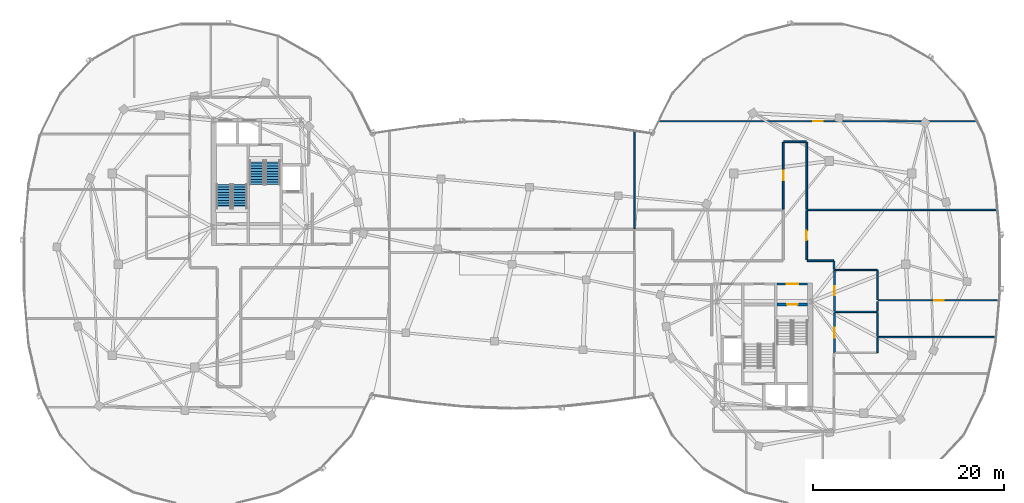
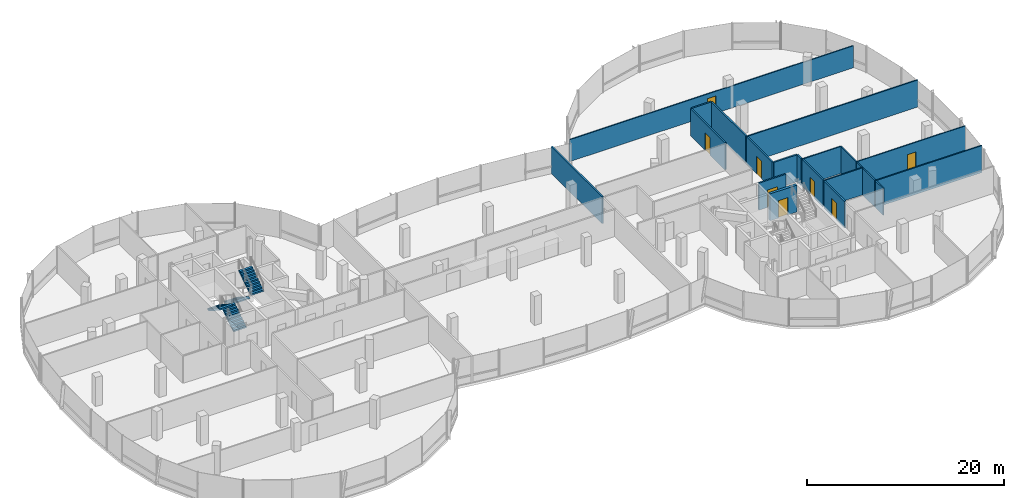
# One storey, part 17 of 26: 21 walls, 8 doors, 4 stair flights, 8 openings, 2 elements without a shape of their own.
"""IFC4 building model written with IfcOpenShell, lengths in metres."""

from ifc_helpers import new_model, si_unit, direction, frame, frame_2d, origin, place, context, subcontext, project, spatial, polyline, rectangle, outline, extrude, material, layer, layer_set, type_object, element, fill, aggregate, save


model = new_model("IFC4")

# Units and contexts
model_context = context("Model", 3, precision=1e-05, world=origin(), true_north=direction((0.0, 1.0)))
body_context = subcontext(model_context, "Body", "Model", "MODEL_VIEW")
ifc_project = project(units=[si_unit("LENGTHUNIT", "METRE"), si_unit("AREAUNIT", "SQUARE_METRE"), si_unit("VOLUMEUNIT", "CUBIC_METRE"), si_unit("PLANEANGLEUNIT", "RADIAN"), si_unit("MASSUNIT", "GRAM", prefix="KILO"), si_unit("THERMODYNAMICTEMPERATUREUNIT", "KELVIN"), si_unit("POWERUNIT", "WATT")], contexts=[model_context])

# Site, building, storey
site_placement = place(None, origin())
site = spatial("IfcSite", under=ifc_project, at=site_placement, CompositionType="ELEMENT")
building_placement = place(site_placement, origin())
building = spatial("IfcBuilding", under=site, at=building_placement, Name="Cundina Bronze Exchange", CompositionType="ELEMENT")
storey_placement = place(building_placement, frame((0.0, 0.0, 264.800048828125)))
storey = spatial("IfcBuildingStorey", under=building, at=storey_placement, Name="L70", CompositionType="ELEMENT", Elevation=264.800048828125)

# Wall, opening, door
ifc_material_1 = material(Name="Gypsum Fireboard Partition EI120")
ifc_layer_1 = layer(ifc_material_1, 0.179931640625, Name="Gypsum Fireboard Partition EI120")
ifc_layer_set_1 = layer_set([ifc_layer_1], Name="Gypsum Fireboard Partition EI120")
wall_type_1 = type_object("IfcWallType", Name="WL-COR-180", PredefinedType="PARTITIONING", material=ifc_layer_set_1)
wall_1_placement = place(storey_placement, frame((27.739990234375, -2.06005859375, 0.0), z_axis=(0.0, 0.0, 1.0), x_axis=(1.0, 0.0, 0.0)))
wall_1 = element("IfcWall", 1, at=wall_1_placement, inside=storey, type_object=wall_type_1, Name="L70 E Stair Vestibule Exit Wall", PredefinedType="PARTITIONING", context=body_context, shape_type="SweptSolid", body=[
    extrude(rectangle(XDim=3.159912109375, YDim=0.179931640625, at=frame_2d((1.580078125, 0.0))), origin(), (0.0, 0.0, 1.0), 3.33984375),
])
opening_1_placement = place(wall_1_placement, frame((0.97998046875, 0.0, 0.0)))
opening_1 = element("IfcOpeningElement", 2, at=opening_1_placement, cuts=wall_1, Name="Opening DF-01", PredefinedType="OPENING", context=body_context, shape_type="SweptSolid", body=[
    extrude(rectangle(XDim=1.199951171875, YDim=2.14990234375, at=frame_2d((0.60009765625, 1.074951171875))), frame((0.0, 0.099853515625, 0.0), z_axis=(0.0, -1.0, 0.0), x_axis=(1.0, 0.0, 0.0)), (0.0, 0.0, 1.0), 0.199951171875),
])
ifc_material_2 = material(Name="Steel ASTM A36 Painted", Category="steel")
door_type_1 = type_object("IfcDoorType", Name="DR-FFL-1200", OperationType="NOTDEFINED", PredefinedType="DOOR", material=ifc_material_2)
door_1_placement = place(opening_1_placement, origin())
door_1 = element("IfcDoor", 3, at=door_1_placement, inside=storey, type_object=door_type_1, Name="L70 E Stair Vestibule Door", OperationType="SINGLE_SWING_RIGHT", OverallHeight=2.14990234375, OverallWidth=1.199951171875, PredefinedType="DOOR", context=body_context, shape_type="SweptSolid", body=[
    extrude(rectangle(XDim=1.199951171875, YDim=2.14990234375, at=frame_2d((0.60009765625, 1.074951171875))), frame((0.0, 0.02490234375, 0.0), z_axis=(0.0, -1.0, 0.0), x_axis=(1.0, 0.0, 0.0)), (0.0, 0.0, 1.0), 0.050048828125),
])
fill(opening_1, door_1)

wall_2_placement = place(storey_placement, frame((33.719970703125, -4.8798828125, 0.0), z_axis=(0.0, 0.0, 1.0), x_axis=(0.0, 1.0, 0.0)))
wall_2 = element("IfcWall", 4, at=wall_2_placement, inside=storey, type_object=wall_type_1, Name="L70 Interior Partition 047", PredefinedType="PARTITIONING", context=body_context, shape_type="SweptSolid", body=[
    extrude(rectangle(XDim=4.259765625, YDim=0.179931640625, at=frame_2d((2.1298828125, 0.0))), origin(), (0.0, 0.0, 1.0), 3.33984375),
])
opening_2_placement = place(wall_2_placement, frame((1.655029296875, 0.0, 0.0)))
opening_2 = element("IfcOpeningElement", 5, at=opening_2_placement, cuts=wall_2, Name="Opening DW-01", PredefinedType="OPENING", context=body_context, shape_type="SweptSolid", body=[
    extrude(rectangle(XDim=0.949951171875, YDim=2.10009765625, at=frame_2d((0.47509765625, 1.050048828125))), frame((0.0, 0.099853515625, 0.0), z_axis=(0.0, -1.0, 0.0), x_axis=(1.0, 0.0, 0.0)), (0.0, 0.0, 1.0), 0.199951171875),
])
ifc_material_3 = material(Name="Solid Andean Oak Timber Grade A", Category="wood")
door_type_2 = type_object("IfcDoorType", Name="DR-WC-950", OperationType="NOTDEFINED", PredefinedType="DOOR", material=ifc_material_3)
door_2_placement = place(opening_2_placement, origin())
door_2 = element("IfcDoor", 6, at=door_2_placement, inside=storey, type_object=door_type_2, Name="L70 Interior Door 047", OperationType="SINGLE_SWING_RIGHT", OverallHeight=2.10009765625, OverallWidth=0.949951171875, PredefinedType="DOOR", context=body_context, shape_type="SweptSolid", body=[
    extrude(rectangle(XDim=0.949951171875, YDim=2.10009765625, at=frame_2d((0.47509765625, 1.050048828125))), frame((0.0, 0.02490234375, 0.0), z_axis=(0.0, -1.0, 0.0), x_axis=(1.0, 0.0, 0.0)), (0.0, 0.0, 1.0), 0.050048828125),
])
fill(opening_2, door_2)

wall_3_placement = place(storey_placement, frame((33.719970703125, -9.239990234375, 0.0), z_axis=(0.0, 0.0, 1.0), x_axis=(0.0, 1.0, 0.0)))
wall_3 = element("IfcWall", 7, at=wall_3_placement, inside=storey, type_object=wall_type_1, Name="L70 Interior Partition 048", PredefinedType="PARTITIONING", context=body_context, shape_type="SweptSolid", body=[
    extrude(rectangle(XDim=4.159912109375, YDim=0.179931640625, at=frame_2d((2.080078125, 0.0))), origin(), (0.0, 0.0, 1.0), 3.33984375),
])
opening_3_placement = place(wall_3_placement, frame((1.580078125, 0.0, 0.0)))
opening_3 = element("IfcOpeningElement", 8, at=opening_3_placement, cuts=wall_3, Name="Opening DO-01", PredefinedType="OPENING", context=body_context, shape_type="SweptSolid", body=[
    extrude(rectangle(XDim=1.0, YDim=2.14990234375, at=frame_2d((0.5, 1.074951171875))), frame((0.0, 0.099853515625, 0.0), z_axis=(0.0, -1.0, 0.0), x_axis=(1.0, 0.0, 0.0)), (0.0, 0.0, 1.0), 0.199951171875),
])
door_type_3 = type_object("IfcDoorType", Name="DR-OFF-1000", OperationType="NOTDEFINED", PredefinedType="DOOR", material=ifc_material_3)
door_3_placement = place(opening_3_placement, origin())
door_3 = element("IfcDoor", 9, at=door_3_placement, inside=storey, type_object=door_type_3, Name="L70 Interior Door 048", OperationType="SINGLE_SWING_LEFT", OverallHeight=2.14990234375, OverallWidth=1.0, PredefinedType="DOOR", context=body_context, shape_type="SweptSolid", body=[
    extrude(rectangle(XDim=1.0, YDim=2.14990234375, at=frame_2d((0.5, 1.074951171875))), frame((0.0, 0.02490234375, 0.0), z_axis=(0.0, -1.0, 0.0), x_axis=(1.0, 0.0, 0.0)), (0.0, 0.0, 1.0), 0.050048828125),
])
fill(opening_3, door_3)

wall_4_placement = place(storey_placement, frame((30.820068359375, 0.449951171875, 0.0), z_axis=(0.0, 0.0, 1.0), x_axis=(0.0, 1.0, 0.0)))
wall_4 = element("IfcWall", 10, at=wall_4_placement, inside=storey, type_object=wall_type_1, Name="L70 Interior Partition 063", PredefinedType="PARTITIONING", context=body_context, shape_type="SweptSolid", body=[
    extrude(rectangle(XDim=5.150146484375, YDim=0.179931640625, at=frame_2d((2.5751953125, 0.0))), origin(), (0.0, 0.0, 1.0), 3.33984375),
])
opening_4_placement = place(wall_4_placement, frame((2.074951171875, 0.0, 0.0)))
opening_4 = element("IfcOpeningElement", 11, at=opening_4_placement, cuts=wall_4, Name="Opening DO-01", PredefinedType="OPENING", context=body_context, shape_type="SweptSolid", body=[
    extrude(rectangle(XDim=1.0, YDim=2.14990234375, at=frame_2d((0.5, 1.074951171875))), frame((0.0, 0.099853515625, 0.0), z_axis=(0.0, -1.0, 0.0), x_axis=(1.0, 0.0, 0.0)), (0.0, 0.0, 1.0), 0.199951171875),
])
door_4_placement = place(opening_4_placement, origin())
door_4 = element("IfcDoor", 12, at=door_4_placement, inside=storey, type_object=door_type_3, Name="L70 Interior Door 063", OperationType="SINGLE_SWING_RIGHT", OverallHeight=2.14990234375, OverallWidth=1.0, PredefinedType="DOOR", context=body_context, shape_type="SweptSolid", body=[
    extrude(rectangle(XDim=1.0, YDim=2.14990234375, at=frame_2d((0.5, 1.074951171875))), frame((0.0, 0.02490234375, 0.0), z_axis=(0.0, -1.0, 0.0), x_axis=(1.0, 0.0, 0.0)), (0.0, 0.0, 1.0), 0.050048828125),
])
fill(opening_4, door_4)

# Walls
wall_5_placement = place(storey_placement, frame((33.62841796875, 0.3701171875, 0.0), z_axis=(0.0, 0.0, 1.0), x_axis=(-1.0, 0.0, 0.0)))
element("IfcWall", 13, at=wall_5_placement, inside=storey, type_object=wall_type_1, Name="L70 Interior Partition 064", PredefinedType="PARTITIONING", context=body_context, shape_type="SweptSolid", body=[
    extrude(rectangle(XDim=2.728515625, YDim=0.179931640625, at=frame_2d((1.3642578125, 0.0))), origin(), (0.0, 0.0, 1.0), 3.33984375),
])
wall_6_placement = place(storey_placement, frame((33.669921875, -0.508544921875, 0.0), z_axis=(0.0, 0.0, 1.0), x_axis=(0.0, 1.0, 0.0)))
element("IfcWall", 14, at=wall_6_placement, inside=storey, type_object=wall_type_1, Name="L70 Interior Partition 065", PredefinedType="PARTITIONING", context=body_context, shape_type="SweptSolid", body=[
    extrude(rectangle(XDim=0.837158203125, YDim=0.179931640625, at=frame_2d((0.41845703125, 0.0))), origin(), (0.0, 0.0, 1.0), 3.33984375),
])

# Wall, opening, door
wall_7_placement = place(storey_placement, frame((28.3798828125, 12.778564453125, 0.0), z_axis=(0.0, 0.0, 1.0), x_axis=(0.0, -1.0, 0.0)))
wall_7 = element("IfcWall", 15, at=wall_7_placement, inside=storey, type_object=wall_type_1, Name="L70 Interior Partition 070", PredefinedType="PARTITIONING", context=body_context, shape_type="SweptSolid", body=[
    extrude(rectangle(XDim=6.99853515625, YDim=0.179931640625, at=frame_2d((3.499267578125, 0.0))), origin(), (0.0, 0.0, 1.0), 3.33984375),
])
opening_5_placement = place(wall_7_placement, frame((2.999267578125, 0.0, 0.0)))
opening_5 = element("IfcOpeningElement", 16, at=opening_5_placement, cuts=wall_7, Name="Opening DO-01", PredefinedType="OPENING", context=body_context, shape_type="SweptSolid", body=[
    extrude(rectangle(XDim=1.0, YDim=2.14990234375, at=frame_2d((0.5, 1.074951171875))), frame((0.0, 0.099853515625, 0.0), z_axis=(0.0, -1.0, 0.0), x_axis=(1.0, 0.0, 0.0)), (0.0, 0.0, 1.0), 0.199951171875),
])
door_5_placement = place(opening_5_placement, origin())
door_5 = element("IfcDoor", 17, at=door_5_placement, inside=storey, type_object=door_type_3, Name="L70 Interior Door 070", OperationType="SINGLE_SWING_RIGHT", OverallHeight=2.14990234375, OverallWidth=1.0, PredefinedType="DOOR", context=body_context, shape_type="SweptSolid", body=[
    extrude(rectangle(XDim=1.0, YDim=2.14990234375, at=frame_2d((0.5, 1.074951171875))), frame((0.0, 0.02490234375, 0.0), z_axis=(0.0, -1.0, 0.0), x_axis=(1.0, 0.0, 0.0)), (0.0, 0.0, 1.0), 0.050048828125),
])
fill(opening_5, door_5)

# Walls
wall_8_placement = place(storey_placement, frame((30.820068359375, 5.780029296875, 0.0), z_axis=(0.0, 0.0, 1.0), x_axis=(0.0, 1.0, 0.0)))
element("IfcWall", 18, at=wall_8_placement, inside=storey, type_object=wall_type_1, Name="L70 Interior Partition 071", PredefinedType="PARTITIONING", context=body_context, shape_type="SweptSolid", body=[
    extrude(rectangle(XDim=6.99853515625, YDim=0.179931640625, at=frame_2d((3.499267578125, 0.0))), origin(), (0.0, 0.0, 1.0), 3.33984375),
])
wall_9_placement = place(storey_placement, frame((30.778564453125, 12.820068359375, 0.0), z_axis=(0.0, 0.0, 1.0), x_axis=(-1.0, 0.0, 0.0)))
element("IfcWall", 19, at=wall_9_placement, inside=storey, type_object=wall_type_1, Name="L70 Interior Partition 072", PredefinedType="PARTITIONING", context=body_context, shape_type="SweptSolid", body=[
    extrude(rectangle(XDim=2.357177734375, YDim=0.179931640625, at=frame_2d((1.1787109375, 0.0))), origin(), (0.0, 0.0, 1.0), 3.33984375),
])
wall_10_placement = place(storey_placement, frame((12.800048828125, 3.739990234375, 0.0), z_axis=(0.0, 0.0, 1.0), x_axis=(0.0, 1.0, 0.0)))
element("IfcWall", 20, at=wall_10_placement, inside=storey, type_object=wall_type_1, Name="L70 Interior Partition 084", PredefinedType="PARTITIONING", context=body_context, shape_type="SweptSolid", body=[
    extrude(rectangle(XDim=10.3037109375, YDim=0.179931640625, at=frame_2d((5.15185546875, 0.0))), origin(), (0.0, 0.0, 1.0), 3.33984375),
])

# Wall, opening, door
ifc_material_4 = material(Name="Gypsum Acoustic Partition EI60")
ifc_layer_2 = layer(ifc_material_4, 0.125, Name="Gypsum Acoustic Partition EI60")
ifc_layer_set_2 = layer_set([ifc_layer_2], Name="Gypsum Acoustic Partition EI60")
wall_type_2 = type_object("IfcWallType", Name="WL-OFF-125", PredefinedType="PARTITIONING", material=ifc_layer_set_2)
wall_11_placement = place(storey_placement, frame((38.320068359375, -3.77001953125, 0.0), z_axis=(0.0, 0.0, 1.0), x_axis=(1.0, 0.0, 0.0)))
wall_11 = element("IfcWall", 21, at=wall_11_placement, inside=storey, type_object=wall_type_2, Name="L70 Interior Partition 073", PredefinedType="PARTITIONING", context=body_context, shape_type="SweptSolid", body=[
    extrude(rectangle(XDim=12.640625, YDim=0.125, at=frame_2d((6.3203125, 0.0))), origin(), (0.0, 0.0, 1.0), 3.33984375),
])
opening_6_placement = place(wall_11_placement, frame((5.8203125, 0.0, 0.0)))
opening_6 = element("IfcOpeningElement", 22, at=opening_6_placement, cuts=wall_11, Name="Opening DO-01", PredefinedType="OPENING", context=body_context, shape_type="SweptSolid", body=[
    extrude(rectangle(XDim=1.0, YDim=2.14990234375, at=frame_2d((0.5, 1.074951171875))), frame((0.0, 0.072509765625, 0.0), z_axis=(0.0, -1.0, 0.0), x_axis=(1.0, 0.0, 0.0)), (0.0, 0.0, 1.0), 0.14501953125),
])
door_6_placement = place(opening_6_placement, origin())
door_6 = element("IfcDoor", 23, at=door_6_placement, inside=storey, type_object=door_type_3, Name="L70 Interior Door 073", OperationType="SINGLE_SWING_LEFT", OverallHeight=2.14990234375, OverallWidth=1.0, PredefinedType="DOOR", context=body_context, shape_type="SweptSolid", body=[
    extrude(rectangle(XDim=1.0, YDim=2.14990234375, at=frame_2d((0.5, 1.074951171875))), frame((0.0, 0.02490234375, 0.0), z_axis=(0.0, -1.0, 0.0), x_axis=(1.0, 0.0, 0.0)), (0.0, 0.0, 1.0), 0.050048828125),
])
fill(opening_6, door_6)

wall_12_placement = place(storey_placement, frame((48.631591796875, 14.9599609375, 0.0), z_axis=(0.0, 0.0, 1.0), x_axis=(-1.0, 0.0, 0.0)))
wall_12 = element("IfcWall", 24, at=wall_12_placement, inside=storey, type_object=wall_type_2, Name="L70 Interior Partition 074", PredefinedType="PARTITIONING", context=body_context, shape_type="SweptSolid", body=[
    extrude(rectangle(XDim=33.26318359375, YDim=0.125, at=frame_2d((16.631591796875, 0.0))), origin(), (0.0, 0.0, 1.0), 2.723876953125),
])
opening_7_placement = place(wall_12_placement, frame((16.131591796875, 0.0, 0.0)))
opening_7 = element("IfcOpeningElement", 25, at=opening_7_placement, cuts=wall_12, Name="Opening DO-01", PredefinedType="OPENING", context=body_context, shape_type="SweptSolid", body=[
    extrude(rectangle(XDim=1.0, YDim=2.14990234375, at=frame_2d((0.5, 1.074951171875))), frame((0.0, 0.072509765625, 0.0), z_axis=(0.0, -1.0, 0.0), x_axis=(1.0, 0.0, 0.0)), (0.0, 0.0, 1.0), 0.14501953125),
])
door_7_placement = place(opening_7_placement, origin())
door_7 = element("IfcDoor", 26, at=door_7_placement, inside=storey, type_object=door_type_3, Name="L70 Interior Door 074", OperationType="SINGLE_SWING_LEFT", OverallHeight=2.14990234375, OverallWidth=1.0, PredefinedType="DOOR", context=body_context, shape_type="SweptSolid", body=[
    extrude(rectangle(XDim=1.0, YDim=2.14990234375, at=frame_2d((0.5, 1.074951171875))), frame((0.0, 0.02490234375, 0.0), z_axis=(0.0, -1.0, 0.0), x_axis=(1.0, 0.0, 0.0)), (0.0, 0.0, 1.0), 0.050048828125),
])
fill(opening_7, door_7)

ifc_material_5 = material(Name="Concrete C50/60", Category="concrete")
ifc_layer_3 = layer(ifc_material_5, 0.300048828125, Name="Concrete C50/60", Category="concrete")
ifc_layer_set_3 = layer_set([ifc_layer_3], Name="Concrete C50/60")
wall_type_3 = type_object("IfcWallType", Name="WL-SHFT-300", PredefinedType="SHEAR", material=ifc_layer_set_3)
wall_13_placement = place(storey_placement, frame((27.739990234375, -4.199951171875, 0.0), z_axis=(0.0, 0.0, 1.0), x_axis=(1.0, 0.0, 0.0)))
wall_13 = element("IfcWall", 27, at=wall_13_placement, inside=storey, type_object=wall_type_3, Name="L70 Stair E1 Landing Wall", PredefinedType="SHEAR", context=body_context, shape_type="SweptSolid", body=[
    extrude(rectangle(XDim=3.159912109375, YDim=0.300048828125, at=frame_2d((1.580078125, 0.0))), origin(), (0.0, 0.0, 1.0), 3.33984375),
])
opening_8_placement = place(wall_13_placement, frame((1.030029296875, 0.0, 0.0)))
opening_8 = element("IfcOpeningElement", 28, at=opening_8_placement, cuts=wall_13, Name="Opening DS-01", PredefinedType="OPENING", context=body_context, shape_type="SweptSolid", body=[
    extrude(rectangle(XDim=1.10009765625, YDim=2.14990234375, at=frame_2d((0.550048828125, 1.074951171875))), frame((0.0, 0.159912109375, 0.0), z_axis=(0.0, -1.0, 0.0), x_axis=(1.0, 0.0, 0.0)), (0.0, 0.0, 1.0), 0.320068359375),
])
door_type_4 = type_object("IfcDoorType", Name="DR-STR-1100", OperationType="NOTDEFINED", PredefinedType="DOOR", material=ifc_material_2)
door_8_placement = place(opening_8_placement, origin())
door_8 = element("IfcDoor", 29, at=door_8_placement, inside=storey, type_object=door_type_4, Name="L70 Smokeproof Stair E1 Door", OperationType="SINGLE_SWING_LEFT", OverallHeight=2.14990234375, OverallWidth=1.10009765625, PredefinedType="DOOR", context=body_context, shape_type="SweptSolid", body=[
    extrude(rectangle(XDim=1.10009765625, YDim=2.14990234375, at=frame_2d((0.550048828125, 1.074951171875))), frame((0.0, 0.02490234375, 0.0), z_axis=(0.0, -1.0, 0.0), x_axis=(1.0, 0.0, 0.0)), (0.0, 0.0, 1.0), 0.050048828125),
])
fill(opening_8, door_8)

# Walls
ifc_layer_4 = layer(ifc_material_4, 0.14990234375, Name="Gypsum Acoustic Partition EI60")
ifc_layer_set_4 = layer_set([ifc_layer_4], Name="Gypsum Acoustic Partition EI60")
wall_type_4 = type_object("IfcWallType", Name="WL-TEN-150", PredefinedType="PARTITIONING", material=ifc_layer_set_4)
wall_14_placement = place(storey_placement, frame((30.85009765625, 5.68994140625, 0.0), z_axis=(0.0, 0.0, 1.0), x_axis=(1.0, 0.0, 0.0)))
element("IfcWall", 30, at=wall_14_placement, inside=storey, type_object=wall_type_4, Name="L70 Interior Partition 050", PredefinedType="PARTITIONING", context=body_context, shape_type="SweptSolid", body=[
    extrude(rectangle(XDim=20.009521484375, YDim=0.14990234375, at=frame_2d((10.0048828125, 0.0))), origin(), (0.0, 0.0, 1.0), 3.33984375),
])
wall_15_placement = place(storey_placement, frame((38.27001953125, -7.6201171875, 0.0), z_axis=(0.0, 0.0, 1.0), x_axis=(1.0, 0.0, 0.0)))
element("IfcWall", 31, at=wall_15_placement, inside=storey, type_object=wall_type_4, Name="L70 Interior Partition 051", PredefinedType="PARTITIONING", context=body_context, shape_type="SweptSolid", body=[
    extrude(rectangle(XDim=12.427490234375, YDim=0.14990234375, at=frame_2d((6.2138671875, 0.0))), origin(), (0.0, 0.0, 1.0), 3.33984375),
])
ifc_material_6 = material(Name="Moisture-Resistant Masonry Block Grade M15", Category="masonry")
ifc_layer_5 = layer(ifc_material_6, 0.139892578125, Name="Moisture-Resistant Masonry Block Grade M15", Category="masonry")
ifc_layer_set_5 = layer_set([ifc_layer_5], Name="Moisture-Resistant Masonry Block Grade M15")
wall_type_5 = type_object("IfcWallType", Name="WL-WET-140", PredefinedType="PARTITIONING", material=ifc_layer_set_5)
wall_16_placement = place(storey_placement, frame((38.239990234375, -9.239990234375, 0.0), z_axis=(0.0, 0.0, 1.0), x_axis=(0.0, 1.0, 0.0)))
element("IfcWall", 32, at=wall_16_placement, inside=storey, type_object=wall_type_5, Name="L70 Interior Partition 040", PredefinedType="PARTITIONING", context=body_context, shape_type="SweptSolid", body=[
    extrude(rectangle(XDim=1.534912109375, YDim=0.139892578125, at=frame_2d((0.767578125, 0.0))), origin(), (0.0, 0.0, 1.0), 3.33984375),
])
wall_17_placement = place(storey_placement, frame((38.239990234375, -7.534912109375, 0.0), z_axis=(0.0, 0.0, 1.0), x_axis=(0.0, 1.0, 0.0)))
element("IfcWall", 33, at=wall_17_placement, inside=storey, type_object=wall_type_5, Name="L70 Interior Partition 041", PredefinedType="PARTITIONING", context=body_context, shape_type="SweptSolid", body=[
    extrude(rectangle(XDim=2.469970703125, YDim=0.139892578125, at=frame_2d((1.23486328125, 0.0))), origin(), (0.0, 0.0, 1.0), 3.33984375),
])
wall_18_placement = place(storey_placement, frame((38.239990234375, -4.89501953125, 0.0), z_axis=(0.0, 0.0, 1.0), x_axis=(0.0, 1.0, 0.0)))
element("IfcWall", 34, at=wall_18_placement, inside=storey, type_object=wall_type_5, Name="L70 Interior Partition 042", PredefinedType="PARTITIONING", context=body_context, shape_type="SweptSolid", body=[
    extrude(rectangle(XDim=0.989990234375, YDim=0.139892578125, at=frame_2d((0.4951171875, 0.0))), origin(), (0.0, 0.0, 1.0), 3.33984375),
])
wall_19_placement = place(storey_placement, frame((38.239990234375, -3.735107421875, 0.0), z_axis=(0.0, 0.0, 1.0), x_axis=(0.0, 1.0, 0.0)))
element("IfcWall", 35, at=wall_19_placement, inside=storey, type_object=wall_type_5, Name="L70 Interior Partition 043", PredefinedType="PARTITIONING", context=body_context, shape_type="SweptSolid", body=[
    extrude(rectangle(XDim=3.114990234375, YDim=0.139892578125, at=frame_2d((1.5576171875, 0.0))), origin(), (0.0, 0.0, 1.0), 3.33984375),
])
for number, where, z_axis, x_axis, name in (
    (36, (33.739990234375, -0.60009765625, 0.0), (0.0, 0.0, 1.0), (1.0, 0.0, 0.0), "L70 Interior Partition 044"),
    (37, (33.739990234375, -4.97998046875, 0.0), (0.0, 0.0, 1.0), (1.0, 0.0, 0.0), "L70 Interior Partition 045"),
):
    element("IfcWall", number, at=place(storey_placement, frame(where, z_axis=z_axis, x_axis=x_axis)), inside=storey, type_object=wall_type_5, Name=name, PredefinedType="PARTITIONING", context=body_context, shape_type="SweptSolid", body=[
        extrude(rectangle(XDim=4.47998046875, YDim=0.139892578125, at=frame_2d((2.239990234375, 0.0))), origin(), (0.0, 0.0, 1.0), 3.33984375),
    ])

# Stair, stair flights
ifc_material_7 = material(Name="Concrete C40/50", Category="concrete")
stair_type = type_object("IfcStairType", Name="STR-OFF-360", PredefinedType="HALF_TURN_STAIR", material=ifc_material_7)
stair_1_placement = place(storey_placement, origin())
stair_1 = element("IfcStair", 38, at=stair_1_placement, inside=storey, type_object=stair_type, Name="L70 Smokeproof Exit Stair W1", PredefinedType="HALF_TURN_STAIR")
stair_flight_type = type_object("IfcStairFlightType", Name="FLG-OFF-180", PredefinedType="STRAIGHT", material=ifc_material_7)
stair_flight_1_placement = place(storey_placement, frame((-28.489990234375, 5.85009765625, 0.0), z_axis=(0.0, 0.0, 1.0), x_axis=(0.0, 1.0, 0.0)))
stair_flight_1 = element("IfcStairFlight", 39, at=stair_flight_1_placement, type_object=stair_flight_type, Name="ST-W1 flight 1", NumberOfRisers=10, NumberOfTreads=9, PredefinedType="STRAIGHT", RiserHeight=0.18, TreadLength=0.28, context=body_context, shape_type="SweptSolid", body=[
    extrude(outline(polyline([(0.0, 0.0), (0.0, 0.179931640625), (0.280029296875, 0.179931640625), (0.280029296875, 0.360107421875), (0.56005859375, 0.360107421875), (0.56005859375, 0.5400390625), (0.840087890625, 0.5400390625), (0.840087890625, 0.719970703125), (1.1201171875, 0.719970703125), (1.1201171875, 0.89990234375), (1.39990234375, 0.89990234375), (1.39990234375, 1.080078125), (1.679931640625, 1.080078125), (1.679931640625, 1.260009765625), (1.9599609375, 1.260009765625), (1.9599609375, 1.43994140625), (2.239990234375, 1.43994140625), (2.239990234375, 1.6201171875), (2.52001953125, 1.6201171875), (2.52001953125, 1.800048828125), (2.52001953125, 1.44189453125), (0.277099609375, 0.0), (0.0, 0.0)])), frame((0.0, 0.75, 0.0), z_axis=(0.0, -1.0, 0.0), x_axis=(1.0, 0.0, 0.0)), (0.0, 0.0, 1.0), 1.5),
])
stair_flight_2_placement = place(storey_placement, frame((-30.14990234375, 8.3701171875, 1.800048828125), z_axis=(0.0, 0.0, 1.0), x_axis=(0.0, -1.0, 0.0)))
stair_flight_2 = element("IfcStairFlight", 40, at=stair_flight_2_placement, type_object=stair_flight_type, Name="ST-W1 flight 2", NumberOfRisers=10, NumberOfTreads=9, PredefinedType="STRAIGHT", RiserHeight=0.18, TreadLength=0.28, context=body_context, shape_type="SweptSolid", body=[
    extrude(outline(polyline([(0.0, 0.0), (0.0, 0.179931640625), (0.280029296875, 0.179931640625), (0.280029296875, 0.360107421875), (0.56005859375, 0.360107421875), (0.56005859375, 0.5400390625), (0.840087890625, 0.5400390625), (0.840087890625, 0.719970703125), (1.1201171875, 0.719970703125), (1.1201171875, 0.89990234375), (1.39990234375, 0.89990234375), (1.39990234375, 1.080078125), (1.679931640625, 1.080078125), (1.679931640625, 1.260009765625), (1.9599609375, 1.260009765625), (1.9599609375, 1.43994140625), (2.239990234375, 1.43994140625), (2.239990234375, 1.6201171875), (2.52001953125, 1.6201171875), (2.52001953125, 1.800048828125), (2.52001953125, 1.44189453125), (0.277099609375, 0.0), (0.0, 0.0)])), frame((0.0, 0.75, 0.0), z_axis=(0.0, -1.0, 0.0), x_axis=(1.0, 0.0, 0.0)), (0.0, 0.0, 1.0), 1.5),
])
aggregate(stair_1, [stair_flight_1, stair_flight_2])

stair_2_placement = place(storey_placement, origin())
stair_2 = element("IfcStair", 41, at=stair_2_placement, inside=storey, type_object=stair_type, Name="L70 Smokeproof Exit Stair W2", PredefinedType="HALF_TURN_STAIR")
stair_flight_3_placement = place(storey_placement, frame((-26.68994140625, 10.85009765625, 0.0), z_axis=(0.0, 0.0, 1.0), x_axis=(0.0, -1.0, 0.0)))
stair_flight_3 = element("IfcStairFlight", 42, at=stair_flight_3_placement, type_object=stair_flight_type, Name="ST-W2 flight 1", NumberOfRisers=10, NumberOfTreads=9, PredefinedType="STRAIGHT", RiserHeight=0.18, TreadLength=0.28, context=body_context, shape_type="SweptSolid", body=[
    extrude(outline(polyline([(0.0, 0.0), (0.0, 0.179931640625), (0.280029296875, 0.179931640625), (0.280029296875, 0.360107421875), (0.56005859375, 0.360107421875), (0.56005859375, 0.5400390625), (0.840087890625, 0.5400390625), (0.840087890625, 0.719970703125), (1.1201171875, 0.719970703125), (1.1201171875, 0.89990234375), (1.39990234375, 0.89990234375), (1.39990234375, 1.080078125), (1.679931640625, 1.080078125), (1.679931640625, 1.260009765625), (1.9599609375, 1.260009765625), (1.9599609375, 1.43994140625), (2.239990234375, 1.43994140625), (2.239990234375, 1.6201171875), (2.52001953125, 1.6201171875), (2.52001953125, 1.800048828125), (2.52001953125, 1.44189453125), (0.277099609375, 0.0), (0.0, 0.0)])), frame((0.0, 0.75, 0.0), z_axis=(0.0, -1.0, 0.0), x_axis=(1.0, 0.0, 0.0)), (0.0, 0.0, 1.0), 1.5),
])
stair_flight_4_placement = place(storey_placement, frame((-25.030029296875, 8.330078125, 1.800048828125), z_axis=(0.0, 0.0, 1.0), x_axis=(0.0, 1.0, 0.0)))
stair_flight_4 = element("IfcStairFlight", 43, at=stair_flight_4_placement, type_object=stair_flight_type, Name="ST-W2 flight 2", NumberOfRisers=10, NumberOfTreads=9, PredefinedType="STRAIGHT", RiserHeight=0.18, TreadLength=0.28, context=body_context, shape_type="SweptSolid", body=[
    extrude(outline(polyline([(0.0, 0.0), (0.0, 0.179931640625), (0.280029296875, 0.179931640625), (0.280029296875, 0.360107421875), (0.56005859375, 0.360107421875), (0.56005859375, 0.5400390625), (0.840087890625, 0.5400390625), (0.840087890625, 0.719970703125), (1.1201171875, 0.719970703125), (1.1201171875, 0.89990234375), (1.39990234375, 0.89990234375), (1.39990234375, 1.080078125), (1.679931640625, 1.080078125), (1.679931640625, 1.260009765625), (1.9599609375, 1.260009765625), (1.9599609375, 1.43994140625), (2.239990234375, 1.43994140625), (2.239990234375, 1.6201171875), (2.52001953125, 1.6201171875), (2.52001953125, 1.800048828125), (2.52001953125, 1.44189453125), (0.277099609375, 0.0), (0.0, 0.0)])), frame((0.0, 0.75, 0.0), z_axis=(0.0, -1.0, 0.0), x_axis=(1.0, 0.0, 0.0)), (0.0, 0.0, 1.0), 1.5),
])
aggregate(stair_2, [stair_flight_3, stair_flight_4])

save(model, "model.ifc")
